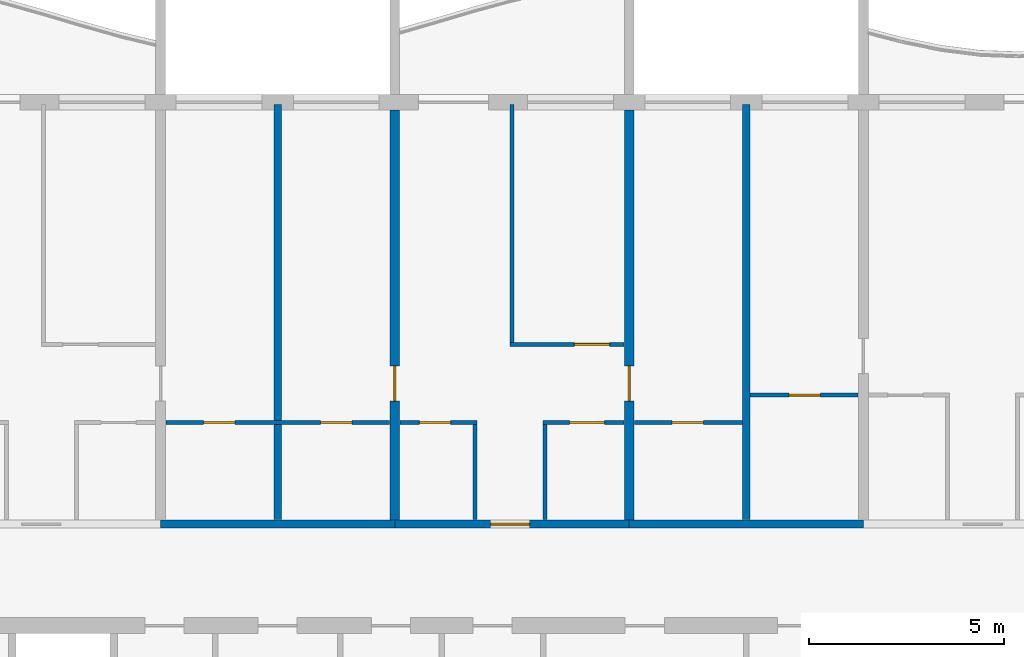
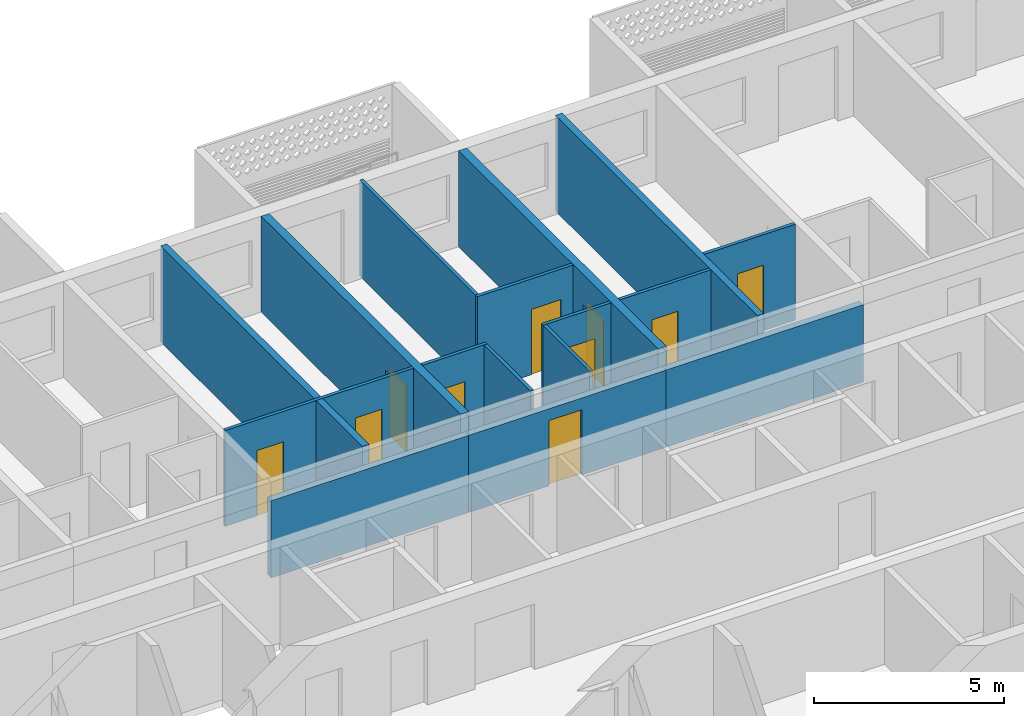
# One storey, part 9 of 27: 16 walls, 10 doors, 10 openings.
"""IFC4 building model written with IfcOpenShell, lengths in metres."""

from ifc_helpers import new_model, si_unit, direction, frame, frame_2d, origin, place, context, subcontext, project, spatial, rectangle, extrude, material, layer, layer_set, type_object, element, fill, save


model = new_model("IFC4")

# Units and contexts
model_context = context("Model", 3, precision=1e-05, world=origin(), true_north=direction((0.0, 1.0)))
body_context = subcontext(model_context, "Body", "Model", "MODEL_VIEW")
ifc_project = project(units=[si_unit("LENGTHUNIT", "METRE"), si_unit("AREAUNIT", "SQUARE_METRE"), si_unit("VOLUMEUNIT", "CUBIC_METRE"), si_unit("PLANEANGLEUNIT", "RADIAN"), si_unit("MASSUNIT", "GRAM", prefix="KILO")], contexts=[model_context])

# Site, building, storey
site_placement = place(None, origin())
site = spatial("IfcSite", under=ifc_project, at=site_placement, CompositionType="ELEMENT")
building_placement = place(site_placement, origin())
building = spatial("IfcBuilding", under=site, at=building_placement, Name="Poui Terraces", CompositionType="ELEMENT")
storey_placement = place(building_placement, frame((0.0, 0.0, 191.699951171875)))
storey = spatial("IfcBuildingStorey", under=building, at=storey_placement, Name="L53", CompositionType="ELEMENT", Elevation=191.699951171875)

# Wall
ifc_material_1 = material(Name="Concrete 50 MPa", Category="concrete")
ifc_layer_1 = layer(ifc_material_1, 0.199951171875)
ifc_layer_set_1 = layer_set([ifc_layer_1], Name="Concrete 50 MPa")
wall_type_1 = type_object("IfcWallType", Name="CORRIDOR WALL 200 50MPa", PredefinedType="SHEAR", material=ifc_layer_set_1)
wall_1_placement = place(storey_placement, frame((48.0, 30.39990234375, 0.0), z_axis=(0.0, 0.0, 1.0), x_axis=(1.0, 0.0, 0.0)))
element("IfcWall", 1, at=wall_1_placement, inside=storey, type_object=wall_type_1, Name="CORRIDOR WALL LINE E BAY 6", PredefinedType="SHEAR", context=body_context, shape_type="SweptSolid", body=[
    extrude(rectangle(XDim=6.0, YDim=0.199951171875, at=frame_2d((3.0, 0.0))), origin(), (0.0, 0.0, 1.0), 2.47998046875),
])

# Wall, opening, door
wall_2_placement = place(storey_placement, frame((54.0, 30.39990234375, 0.0), z_axis=(0.0, 0.0, 1.0), x_axis=(1.0, 0.0, 0.0)))
wall_2 = element("IfcWall", 2, at=wall_2_placement, inside=storey, type_object=wall_type_1, Name="CORRIDOR WALL LINE E BAY 7", PredefinedType="SHEAR", context=body_context, shape_type="SweptSolid", body=[
    extrude(rectangle(XDim=6.0, YDim=0.199951171875, at=frame_2d((3.0, 0.0))), origin(), (0.0, 0.0, 1.0), 2.47998046875),
])
opening_1_placement = place(wall_2_placement, frame((2.449951171875, 0.0, 0.0)))
opening_1 = element("IfcOpeningElement", 3, at=opening_1_placement, cuts=wall_2, Name="Opening FD30S", PredefinedType="OPENING", context=body_context, shape_type="SweptSolid", body=[
    extrude(rectangle(XDim=1.0, YDim=2.10009765625, at=frame_2d((0.5, 1.050048828125))), frame((0.0, 0.10986328125, 0.0), z_axis=(0.0, -1.0, 0.0), x_axis=(1.0, 0.0, 0.0)), (0.0, 0.0, 1.0), 0.219970703125),
])
ifc_material_2 = material(Name="Steel fire door", Category="steel")
door_type_1 = type_object("IfcDoorType", Name="FLAT ENTRANCE DOOR 1000 X 2100", OperationType="NOTDEFINED", PredefinedType="DOOR", material=ifc_material_2)
door_1_placement = place(opening_1_placement, origin())
door_1 = element("IfcDoor", 4, at=door_1_placement, inside=storey, type_object=door_type_1, Name="FLAT ENTRANCE DOOR 050", OperationType="SINGLE_SWING_LEFT", OverallHeight=2.10009765625, OverallWidth=1.0, PredefinedType="DOOR", context=body_context, shape_type="SweptSolid", body=[
    extrude(rectangle(XDim=1.0, YDim=2.10009765625, at=frame_2d((0.5, 1.050048828125))), frame((0.0, 0.02490234375, 0.0), z_axis=(0.0, -1.0, 0.0), x_axis=(1.0, 0.0, 0.0)), (0.0, 0.0, 1.0), 0.050048828125),
])
fill(opening_1, door_1)

# Wall
wall_3_placement = place(storey_placement, frame((60.0, 30.39990234375, 0.0), z_axis=(0.0, 0.0, 1.0), x_axis=(1.0, 0.0, 0.0)))
element("IfcWall", 5, at=wall_3_placement, inside=storey, type_object=wall_type_1, Name="CORRIDOR WALL LINE E BAY 8", PredefinedType="SHEAR", context=body_context, shape_type="SweptSolid", body=[
    extrude(rectangle(XDim=6.0, YDim=0.199951171875, at=frame_2d((3.0, 0.0))), origin(), (0.0, 0.0, 1.0), 2.47998046875),
])

# Wall, opening, door
ifc_layer_2 = layer(ifc_material_1, 0.25)
ifc_layer_set_2 = layer_set([ifc_layer_2], Name="Concrete 50 MPa")
wall_type_2 = type_object("IfcWallType", Name="CROSS WALL 250 50MPa", PredefinedType="SHEAR", material=ifc_layer_set_2)
wall_4_placement = place(storey_placement, frame((54.0, 30.5, 0.0), z_axis=(0.0, 0.0, 1.0), x_axis=(0.0, 1.0, 0.0)))
wall_4 = element("IfcWall", 6, at=wall_4_placement, inside=storey, type_object=wall_type_2, Name="CROSS WALL LINE 10 NORTH", PredefinedType="SHEAR", context=body_context, shape_type="SweptSolid", body=[
    extrude(rectangle(XDim=10.5, YDim=0.25, at=frame_2d((5.25, 0.0))), origin(), (0.0, 0.0, 1.0), 3.080078125),
])
opening_2_placement = place(wall_4_placement, frame((3.050048828125, 0.0, 0.0)))
opening_2 = element("IfcOpeningElement", 7, at=opening_2_placement, cuts=wall_4, Name="Opening D90", PredefinedType="OPENING", context=body_context, shape_type="SweptSolid", body=[
    extrude(rectangle(XDim=0.89990234375, YDim=2.10009765625, at=frame_2d((0.449951171875, 1.050048828125))), frame((0.0, 0.135009765625, 0.0), z_axis=(0.0, -1.0, 0.0), x_axis=(1.0, 0.0, 0.0)), (0.0, 0.0, 1.0), 0.27001953125),
])
ifc_material_3 = material(Name="Solid core timber door", Category="wood")
door_type_2 = type_object("IfcDoorType", Name="INTERNAL DOOR 900 X 2100", OperationType="NOTDEFINED", PredefinedType="DOOR", material=ifc_material_3)
door_2_placement = place(opening_2_placement, origin())
door_2 = element("IfcDoor", 8, at=door_2_placement, inside=storey, type_object=door_type_2, Name="INTERNAL DOOR 048", OperationType="SINGLE_SWING_LEFT", OverallHeight=2.10009765625, OverallWidth=0.89990234375, PredefinedType="DOOR", context=body_context, shape_type="SweptSolid", body=[
    extrude(rectangle(XDim=0.89990234375, YDim=2.10009765625, at=frame_2d((0.449951171875, 1.050048828125))), frame((0.0, 0.02490234375, 0.0), z_axis=(0.0, -1.0, 0.0), x_axis=(1.0, 0.0, 0.0)), (0.0, 0.0, 1.0), 0.050048828125),
])
fill(opening_2, door_2)

wall_5_placement = place(storey_placement, frame((60.0, 30.5, 0.0), z_axis=(0.0, 0.0, 1.0), x_axis=(0.0, 1.0, 0.0)))
wall_5 = element("IfcWall", 9, at=wall_5_placement, inside=storey, type_object=wall_type_2, Name="CROSS WALL LINE 11 NORTH", PredefinedType="SHEAR", context=body_context, shape_type="SweptSolid", body=[
    extrude(rectangle(XDim=10.5, YDim=0.25, at=frame_2d((5.25, 0.0))), origin(), (0.0, 0.0, 1.0), 3.080078125),
])
opening_3_placement = place(wall_5_placement, frame((3.050048828125, 0.0, 0.0)))
opening_3 = element("IfcOpeningElement", 10, at=opening_3_placement, cuts=wall_5, Name="Opening D90", PredefinedType="OPENING", context=body_context, shape_type="SweptSolid", body=[
    extrude(rectangle(XDim=0.89990234375, YDim=2.10009765625, at=frame_2d((0.449951171875, 1.050048828125))), frame((0.0, 0.135009765625, 0.0), z_axis=(0.0, -1.0, 0.0), x_axis=(1.0, 0.0, 0.0)), (0.0, 0.0, 1.0), 0.27001953125),
])
door_3_placement = place(opening_3_placement, frame((0.89990234375, 0.0, 0.0), z_axis=(0.0, 0.0, 1.0), x_axis=(-1.0, 0.0, 0.0)))
door_3 = element("IfcDoor", 11, at=door_3_placement, inside=storey, type_object=door_type_2, Name="INTERNAL DOOR 053", OperationType="SINGLE_SWING_RIGHT", OverallHeight=2.10009765625, OverallWidth=0.89990234375, PredefinedType="DOOR", context=body_context, shape_type="SweptSolid", body=[
    extrude(rectangle(XDim=0.89990234375, YDim=2.10009765625, at=frame_2d((0.449951171875, 1.050048828125))), frame((0.0, 0.02490234375, 0.0), z_axis=(0.0, -1.0, 0.0), x_axis=(1.0, 0.0, 0.0)), (0.0, 0.0, 1.0), 0.050048828125),
])
fill(opening_3, door_3)

# Wall, openings, doors
ifc_material_4 = material(Name="Plasterboard partition")
ifc_layer_3 = layer(ifc_material_4, 0.10009765625)
ifc_layer_set_3 = layer_set([ifc_layer_3], Name="Plasterboard partition")
wall_type_3 = type_object("IfcWallType", Name="FLAT PARTITION 100", PredefinedType="PARTITIONING", material=ifc_layer_set_3)
wall_6_placement = place(storey_placement, frame((48.135009765625, 33.0, 0.0), z_axis=(0.0, 0.0, 1.0), x_axis=(1.0, 0.0, 0.0)))
wall_6 = element("IfcWall", 12, at=wall_6_placement, inside=storey, type_object=wall_type_3, Name="FLAT PARTITION 100", PredefinedType="PARTITIONING", context=body_context, shape_type="SweptSolid", body=[
    extrude(rectangle(XDim=5.72998046875, YDim=0.10009765625, at=frame_2d((2.864990234375, 0.0))), origin(), (0.0, 0.0, 1.0), 3.080078125),
])
opening_4_placement = place(wall_6_placement, frame((0.965087890625, 0.0, 0.0)))
opening_4 = element("IfcOpeningElement", 13, at=opening_4_placement, cuts=wall_6, Name="Opening D80", PredefinedType="OPENING", context=body_context, shape_type="SweptSolid", body=[
    extrude(rectangle(XDim=0.800048828125, YDim=2.10009765625, at=frame_2d((0.39990234375, 1.050048828125))), frame((0.0, 0.06005859375, 0.0), z_axis=(0.0, -1.0, 0.0), x_axis=(1.0, 0.0, 0.0)), (0.0, 0.0, 1.0), 0.1201171875),
])
opening_5_placement = place(wall_6_placement, frame((3.965087890625, 0.0, 0.0)))
opening_5 = element("IfcOpeningElement", 14, at=opening_5_placement, cuts=wall_6, Name="Opening D80", PredefinedType="OPENING", context=body_context, shape_type="SweptSolid", body=[
    extrude(rectangle(XDim=0.800048828125, YDim=2.10009765625, at=frame_2d((0.39990234375, 1.050048828125))), frame((0.0, 0.06005859375, 0.0), z_axis=(0.0, -1.0, 0.0), x_axis=(1.0, 0.0, 0.0)), (0.0, 0.0, 1.0), 0.1201171875),
])
door_type_3 = type_object("IfcDoorType", Name="BATHROOM, LAUNDRY AND STORE DOOR 800 X 2100", OperationType="NOTDEFINED", PredefinedType="DOOR", material=ifc_material_3)
door_4_placement = place(opening_4_placement, frame((0.800048828125, 0.0, 0.0), z_axis=(0.0, 0.0, 1.0), x_axis=(-1.0, 0.0, 0.0)))
door_4 = element("IfcDoor", 15, at=door_4_placement, inside=storey, type_object=door_type_3, Name="BATHROOM, LAUNDRY AND STORE DOOR 039", OperationType="SINGLE_SWING_LEFT", OverallHeight=2.10009765625, OverallWidth=0.800048828125, PredefinedType="DOOR", context=body_context, shape_type="SweptSolid", body=[
    extrude(rectangle(XDim=0.800048828125, YDim=2.10009765625, at=frame_2d((0.39990234375, 1.050048828125))), frame((0.0, 0.02490234375, 0.0), z_axis=(0.0, -1.0, 0.0), x_axis=(1.0, 0.0, 0.0)), (0.0, 0.0, 1.0), 0.050048828125),
])
fill(opening_4, door_4)
door_5_placement = place(opening_5_placement, frame((0.800048828125, 0.0, 0.0), z_axis=(0.0, 0.0, 1.0), x_axis=(-1.0, 0.0, 0.0)))
door_5 = element("IfcDoor", 16, at=door_5_placement, inside=storey, type_object=door_type_3, Name="BATHROOM, LAUNDRY AND STORE DOOR 046", OperationType="SINGLE_SWING_RIGHT", OverallHeight=2.10009765625, OverallWidth=0.800048828125, PredefinedType="DOOR", context=body_context, shape_type="SweptSolid", body=[
    extrude(rectangle(XDim=0.800048828125, YDim=2.10009765625, at=frame_2d((0.39990234375, 1.050048828125))), frame((0.0, 0.02490234375, 0.0), z_axis=(0.0, -1.0, 0.0), x_axis=(1.0, 0.0, 0.0)), (0.0, 0.0, 1.0), 0.050048828125),
])
fill(opening_5, door_5)

# Wall, opening, door
wall_7_placement = place(storey_placement, frame((54.135009765625, 33.0, 0.0), z_axis=(0.0, 0.0, 1.0), x_axis=(1.0, 0.0, 0.0)))
wall_7 = element("IfcWall", 17, at=wall_7_placement, inside=storey, type_object=wall_type_3, Name="FLAT PARTITION 100", PredefinedType="PARTITIONING", context=body_context, shape_type="SweptSolid", body=[
    extrude(rectangle(XDim=1.965087890625, YDim=0.10009765625, at=frame_2d((0.982421875, 0.0))), origin(), (0.0, 0.0, 1.0), 3.080078125),
])
opening_6_placement = place(wall_7_placement, frame((0.489990234375, 0.0, 0.0)))
opening_6 = element("IfcOpeningElement", 18, at=opening_6_placement, cuts=wall_7, Name="Opening D80", PredefinedType="OPENING", context=body_context, shape_type="SweptSolid", body=[
    extrude(rectangle(XDim=0.800048828125, YDim=2.10009765625, at=frame_2d((0.39990234375, 1.050048828125))), frame((0.0, 0.06005859375, 0.0), z_axis=(0.0, -1.0, 0.0), x_axis=(1.0, 0.0, 0.0)), (0.0, 0.0, 1.0), 0.1201171875),
])
door_6_placement = place(opening_6_placement, frame((0.800048828125, 0.0, 0.0), z_axis=(0.0, 0.0, 1.0), x_axis=(-1.0, 0.0, 0.0)))
door_6 = element("IfcDoor", 19, at=door_6_placement, inside=storey, type_object=door_type_3, Name="BATHROOM, LAUNDRY AND STORE DOOR 049", OperationType="SINGLE_SWING_RIGHT", OverallHeight=2.10009765625, OverallWidth=0.800048828125, PredefinedType="DOOR", context=body_context, shape_type="SweptSolid", body=[
    extrude(rectangle(XDim=0.800048828125, YDim=2.10009765625, at=frame_2d((0.39990234375, 1.050048828125))), frame((0.0, 0.02490234375, 0.0), z_axis=(0.0, -1.0, 0.0), x_axis=(1.0, 0.0, 0.0)), (0.0, 0.0, 1.0), 0.050048828125),
])
fill(opening_6, door_6)

wall_8_placement = place(storey_placement, frame((57.800048828125, 33.0, 0.0), z_axis=(0.0, 0.0, 1.0), x_axis=(1.0, 0.0, 0.0)))
wall_8 = element("IfcWall", 20, at=wall_8_placement, inside=storey, type_object=wall_type_3, Name="FLAT PARTITION 100", PredefinedType="PARTITIONING", context=body_context, shape_type="SweptSolid", body=[
    extrude(rectangle(XDim=2.06494140625, YDim=0.10009765625, at=frame_2d((1.032470703125, 0.0))), origin(), (0.0, 0.0, 1.0), 3.080078125),
])
opening_7_placement = place(wall_8_placement, frame((0.675048828125, 0.0, 0.0)))
opening_7 = element("IfcOpeningElement", 21, at=opening_7_placement, cuts=wall_8, Name="Opening D90", PredefinedType="OPENING", context=body_context, shape_type="SweptSolid", body=[
    extrude(rectangle(XDim=0.89990234375, YDim=2.10009765625, at=frame_2d((0.449951171875, 1.050048828125))), frame((0.0, 0.06005859375, 0.0), z_axis=(0.0, -1.0, 0.0), x_axis=(1.0, 0.0, 0.0)), (0.0, 0.0, 1.0), 0.1201171875),
])
door_7_placement = place(opening_7_placement, frame((0.89990234375, 0.0, 0.0), z_axis=(0.0, 0.0, 1.0), x_axis=(-1.0, 0.0, 0.0)))
door_7 = element("IfcDoor", 22, at=door_7_placement, inside=storey, type_object=door_type_2, Name="INTERNAL DOOR 051", OperationType="SINGLE_SWING_LEFT", OverallHeight=2.10009765625, OverallWidth=0.89990234375, PredefinedType="DOOR", context=body_context, shape_type="SweptSolid", body=[
    extrude(rectangle(XDim=0.89990234375, YDim=2.10009765625, at=frame_2d((0.449951171875, 1.050048828125))), frame((0.0, 0.02490234375, 0.0), z_axis=(0.0, -1.0, 0.0), x_axis=(1.0, 0.0, 0.0)), (0.0, 0.0, 1.0), 0.050048828125),
])
fill(opening_7, door_7)

wall_9_placement = place(storey_placement, frame((60.135009765625, 33.0, 0.0), z_axis=(0.0, 0.0, 1.0), x_axis=(1.0, 0.0, 0.0)))
wall_9 = element("IfcWall", 23, at=wall_9_placement, inside=storey, type_object=wall_type_3, Name="FLAT PARTITION 100", PredefinedType="PARTITIONING", context=body_context, shape_type="SweptSolid", body=[
    extrude(rectangle(XDim=2.764892578125, YDim=0.10009765625, at=frame_2d((1.38232421875, 0.0))), origin(), (0.0, 0.0, 1.0), 3.080078125),
])
opening_8_placement = place(wall_9_placement, frame((0.965087890625, 0.0, 0.0)))
opening_8 = element("IfcOpeningElement", 24, at=opening_8_placement, cuts=wall_9, Name="Opening D80", PredefinedType="OPENING", context=body_context, shape_type="SweptSolid", body=[
    extrude(rectangle(XDim=0.800048828125, YDim=2.10009765625, at=frame_2d((0.39990234375, 1.050048828125))), frame((0.0, 0.06005859375, 0.0), z_axis=(0.0, -1.0, 0.0), x_axis=(1.0, 0.0, 0.0)), (0.0, 0.0, 1.0), 0.1201171875),
])
door_8_placement = place(opening_8_placement, frame((0.800048828125, 0.0, 0.0), z_axis=(0.0, 0.0, 1.0), x_axis=(-1.0, 0.0, 0.0)))
door_8 = element("IfcDoor", 25, at=door_8_placement, inside=storey, type_object=door_type_3, Name="BATHROOM, LAUNDRY AND STORE DOOR 047", OperationType="SINGLE_SWING_RIGHT", OverallHeight=2.10009765625, OverallWidth=0.800048828125, PredefinedType="DOOR", context=body_context, shape_type="SweptSolid", body=[
    extrude(rectangle(XDim=0.800048828125, YDim=2.10009765625, at=frame_2d((0.39990234375, 1.050048828125))), frame((0.0, 0.02490234375, 0.0), z_axis=(0.0, -1.0, 0.0), x_axis=(1.0, 0.0, 0.0)), (0.0, 0.0, 1.0), 0.050048828125),
])
fill(opening_8, door_8)

wall_10_placement = place(storey_placement, frame((63.10009765625, 33.699951171875, 0.0), z_axis=(0.0, 0.0, 1.0), x_axis=(1.0, 0.0, 0.0)))
wall_10 = element("IfcWall", 26, at=wall_10_placement, inside=storey, type_object=wall_type_3, Name="FLAT PARTITION 100", PredefinedType="PARTITIONING", context=body_context, shape_type="SweptSolid", body=[
    extrude(rectangle(XDim=2.764892578125, YDim=0.10009765625, at=frame_2d((1.38232421875, 0.0))), origin(), (0.0, 0.0, 1.0), 3.080078125),
])
opening_9_placement = place(wall_10_placement, frame((1.0, 0.0, 0.0)))
opening_9 = element("IfcOpeningElement", 27, at=opening_9_placement, cuts=wall_10, Name="Opening D80", PredefinedType="OPENING", context=body_context, shape_type="SweptSolid", body=[
    extrude(rectangle(XDim=0.800048828125, YDim=2.10009765625, at=frame_2d((0.39990234375, 1.050048828125))), frame((0.0, 0.06005859375, 0.0), z_axis=(0.0, -1.0, 0.0), x_axis=(1.0, 0.0, 0.0)), (0.0, 0.0, 1.0), 0.1201171875),
])
door_9_placement = place(opening_9_placement, frame((0.800048828125, 0.0, 0.0), z_axis=(0.0, 0.0, 1.0), x_axis=(-1.0, 0.0, 0.0)))
door_9 = element("IfcDoor", 28, at=door_9_placement, inside=storey, type_object=door_type_3, Name="BATHROOM, LAUNDRY AND STORE DOOR 054", OperationType="SINGLE_SWING_LEFT", OverallHeight=2.10009765625, OverallWidth=0.800048828125, PredefinedType="DOOR", context=body_context, shape_type="SweptSolid", body=[
    extrude(rectangle(XDim=0.800048828125, YDim=2.10009765625, at=frame_2d((0.39990234375, 1.050048828125))), frame((0.0, 0.02490234375, 0.0), z_axis=(0.0, -1.0, 0.0), x_axis=(1.0, 0.0, 0.0)), (0.0, 0.0, 1.0), 0.050048828125),
])
fill(opening_9, door_9)

wall_11_placement = place(storey_placement, frame((56.949951171875, 35.0, 0.0), z_axis=(0.0, 0.0, 1.0), x_axis=(1.0, 0.0, 0.0)))
wall_11 = element("IfcWall", 29, at=wall_11_placement, inside=storey, type_object=wall_type_3, Name="FLAT PARTITION 100", PredefinedType="PARTITIONING", context=body_context, shape_type="SweptSolid", body=[
    extrude(rectangle(XDim=2.9150390625, YDim=0.10009765625, at=frame_2d((1.45751953125, 0.0))), origin(), (0.0, 0.0, 1.0), 3.080078125),
])
opening_10_placement = place(wall_11_placement, frame((1.64990234375, 0.0, 0.0)))
opening_10 = element("IfcOpeningElement", 30, at=opening_10_placement, cuts=wall_11, Name="Opening D90", PredefinedType="OPENING", context=body_context, shape_type="SweptSolid", body=[
    extrude(rectangle(XDim=0.89990234375, YDim=2.10009765625, at=frame_2d((0.449951171875, 1.050048828125))), frame((0.0, 0.06005859375, 0.0), z_axis=(0.0, -1.0, 0.0), x_axis=(1.0, 0.0, 0.0)), (0.0, 0.0, 1.0), 0.1201171875),
])
door_10_placement = place(opening_10_placement, frame((0.89990234375, 0.0, 0.0), z_axis=(0.0, 0.0, 1.0), x_axis=(-1.0, 0.0, 0.0)))
door_10 = element("IfcDoor", 31, at=door_10_placement, inside=storey, type_object=door_type_2, Name="INTERNAL DOOR 052", OperationType="SINGLE_SWING_RIGHT", OverallHeight=2.10009765625, OverallWidth=0.89990234375, PredefinedType="DOOR", context=body_context, shape_type="SweptSolid", body=[
    extrude(rectangle(XDim=0.89990234375, YDim=2.10009765625, at=frame_2d((0.449951171875, 1.050048828125))), frame((0.0, 0.02490234375, 0.0), z_axis=(0.0, -1.0, 0.0), x_axis=(1.0, 0.0, 0.0)), (0.0, 0.0, 1.0), 0.050048828125),
])
fill(opening_10, door_10)

# Walls
wall_12_placement = place(storey_placement, frame((56.050048828125, 30.510009765625, 0.0), z_axis=(0.0, 0.0, 1.0), x_axis=(0.0, 1.0, 0.0)))
element("IfcWall", 32, at=wall_12_placement, inside=storey, type_object=wall_type_3, Name="FLAT PARTITION 100", PredefinedType="PARTITIONING", context=body_context, shape_type="SweptSolid", body=[
    extrude(rectangle(XDim=2.43994140625, YDim=0.10009765625, at=frame_2d((1.219970703125, 0.0))), origin(), (0.0, 0.0, 1.0), 3.080078125),
])
wall_13_placement = place(storey_placement, frame((57.0, 35.050048828125, 0.0), z_axis=(0.0, 0.0, 1.0), x_axis=(0.0, 1.0, 0.0)))
element("IfcWall", 33, at=wall_13_placement, inside=storey, type_object=wall_type_3, Name="FLAT PARTITION 100", PredefinedType="PARTITIONING", context=body_context, shape_type="SweptSolid", body=[
    extrude(rectangle(XDim=6.08984375, YDim=0.10009765625, at=frame_2d((3.044921875, 0.0))), origin(), (0.0, 0.0, 1.0), 3.080078125),
])
wall_14_placement = place(storey_placement, frame((57.85009765625, 30.510009765625, 0.0), z_axis=(0.0, 0.0, 1.0), x_axis=(0.0, 1.0, 0.0)))
element("IfcWall", 34, at=wall_14_placement, inside=storey, type_object=wall_type_3, Name="FLAT PARTITION 100", PredefinedType="PARTITIONING", context=body_context, shape_type="SweptSolid", body=[
    extrude(rectangle(XDim=2.43994140625, YDim=0.10009765625, at=frame_2d((1.219970703125, 0.0))), origin(), (0.0, 0.0, 1.0), 3.080078125),
])
ifc_material_5 = material(Name="Fire-rated masonry wall", Category="masonry")
ifc_layer_4 = layer(ifc_material_5, 0.199951171875)
ifc_layer_set_4 = layer_set([ifc_layer_4], Name="Fire-rated masonry wall")
wall_type_4 = type_object("IfcWallType", Name="FLAT PARTY WALL 200", PredefinedType="PARTITIONING", material=ifc_layer_set_4)
for number, where, z_axis, x_axis, name in (
    (35, (51.0, 30.510009765625, 0.0), (0.0, 0.0, 1.0), (0.0, 1.0, 0.0), "FLAT PARTY WALL 200"),
    (36, (63.0, 30.510009765625, 0.0), (0.0, 0.0, 1.0), (0.0, 1.0, 0.0), "FLAT PARTY WALL 200"),
):
    element("IfcWall", number, at=place(storey_placement, frame(where, z_axis=z_axis, x_axis=x_axis)), inside=storey, type_object=wall_type_4, Name=name, PredefinedType="PARTITIONING", context=body_context, shape_type="SweptSolid", body=[
        extrude(rectangle(XDim=10.6298828125, YDim=0.199951171875, at=frame_2d((5.31494140625, 0.0))), origin(), (0.0, 0.0, 1.0), 3.080078125),
    ])

save(model, "model.ifc")
